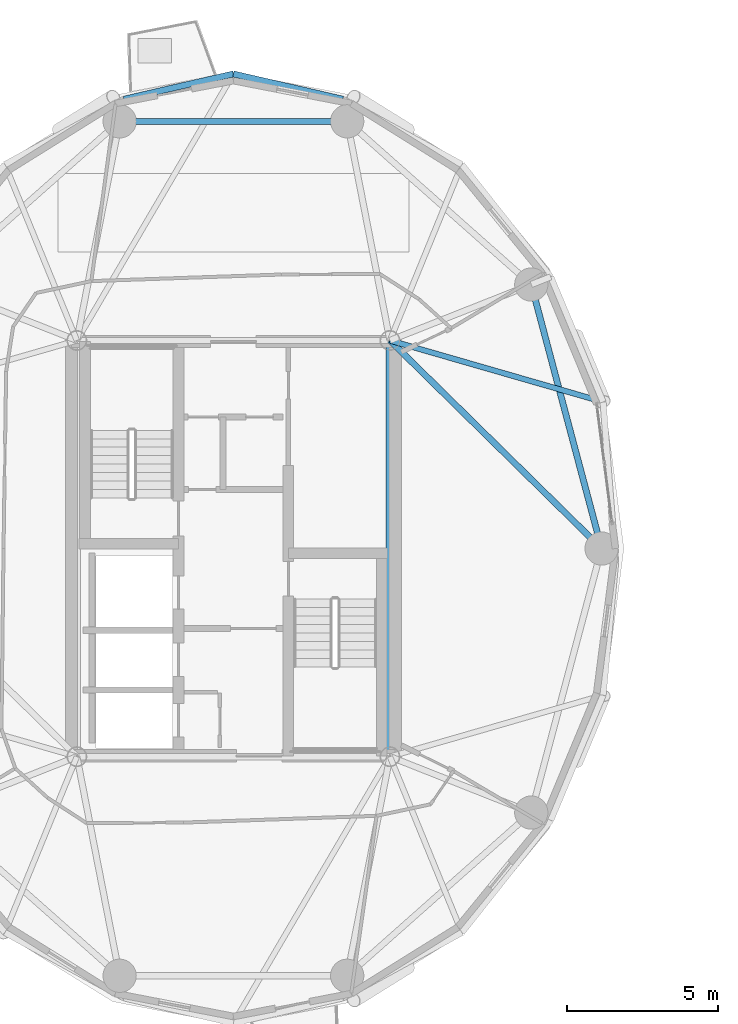
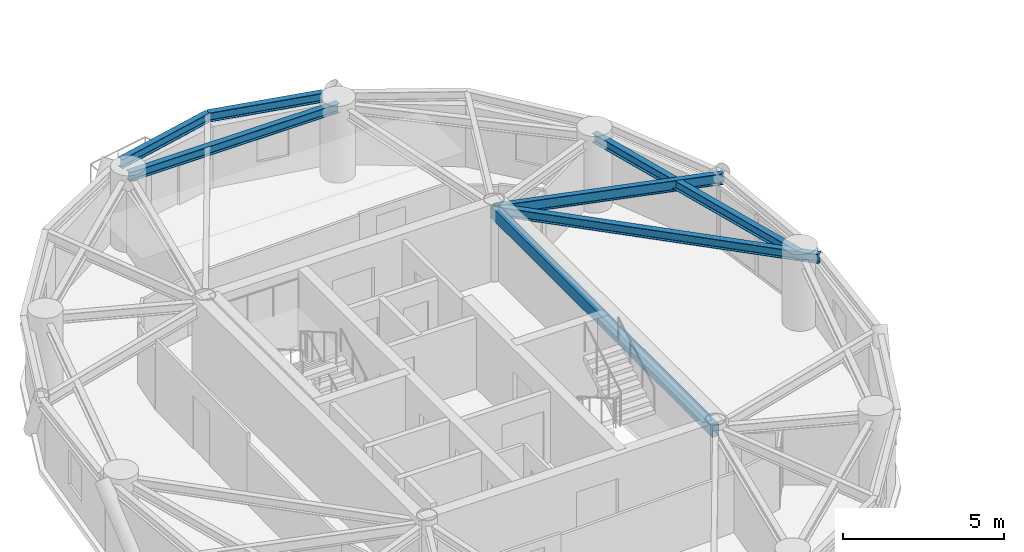
# One storey, part 2 of 15: 7 beams.
"""IFC4 building model written with IfcOpenShell, lengths in metres."""

from ifc_helpers import new_model, si_unit, direction, frame, origin, origin_2d, place, context, subcontext, project, spatial, hollow_rectangle, i_section, extrude, material, material_profile, profile_set, type_object, element, save


model = new_model("IFC4")

# Units and contexts
model_context = context("Model", 3, precision=1e-05, world=origin(), true_north=direction((0.0, 1.0)))
body_context = subcontext(model_context, "Body", "Model", "MODEL_VIEW")
ifc_project = project(units=[si_unit("LENGTHUNIT", "METRE"), si_unit("AREAUNIT", "SQUARE_METRE"), si_unit("VOLUMEUNIT", "CUBIC_METRE"), si_unit("PLANEANGLEUNIT", "RADIAN"), si_unit("MASSUNIT", "GRAM", prefix="KILO")], contexts=[model_context])

# Site, building, storey
site_placement = place(None, origin())
site = spatial("IfcSite", under=ifc_project, at=site_placement, CompositionType="ELEMENT")
building_placement = place(site_placement, origin())
building = spatial("IfcBuilding", under=site, at=building_placement, Name="Cununo Teusaquillo Station Towers", CompositionType="ELEMENT")
storey_placement = place(building_placement, frame((0.0, 0.0, 199.570068359375)))
storey = spatial("IfcBuildingStorey", under=building, at=storey_placement, Name="L63", CompositionType="ELEMENT", Elevation=199.570068359375)

# Beams
ifc_material_1 = material(Name="Steel EN 10025-2 S355J2", Category="steel")
ifc_material_profile_1 = material_profile(ifc_material_1, hollow_rectangle(XDim=0.25, YDim=0.449951171875, WallThickness=0.01611328125, at=origin_2d()), Name="RHS 450x250x16")
ifc_profile_set_1 = profile_set([ifc_material_profile_1], Name="Steel EN 10025-2 S355J2")
beam_type_1 = type_object("IfcBeamType", Name="BM-COUP-1", PredefinedType="USERDEFINED", material=ifc_profile_set_1)
beam_1_placement = place(storey_placement, frame((21.675048828125, 17.6201171875, 2.474853515625), z_axis=(0.0, 1.0, 0.0), x_axis=(-1.0, 0.0, 0.0)))
element("IfcBeam", 1, at=beam_1_placement, inside=storey, type_object=beam_type_1, Name="L63 Tower A Core Beam 2", ObjectType="COUPLING BEAM", PredefinedType="USERDEFINED", context=body_context, shape_type="SweptSolid", body=[
    extrude(hollow_rectangle(XDim=0.25, YDim=0.449951171875, WallThickness=0.01611328125, at=origin_2d()), origin(), (0.0, 0.0, 1.0), 13.759765625),
])
ifc_material_2 = material(Name="Steel ASTM A572 Grade 50", Category="steel")
ifc_material_profile_2 = material_profile(ifc_material_2, i_section(OverallWidth=0.180908203125, OverallDepth=0.4169921875, WebThickness=0.010986328125, FlangeThickness=0.018310546875, FilletRadius=0.012939453125, at=origin_2d()), Name="W16X57")
ifc_profile_set_2 = profile_set([ifc_material_profile_2], Name="Steel ASTM A572 Grade 50")
beam_type_2 = type_object("IfcBeamType", Name="BM-JOIST-1", PredefinedType="JOIST", material=ifc_profile_set_2)
beam_2_placement = place(storey_placement, frame((21.675048828125, 31.3798828125, 2.491455078125), z_axis=(0.960861603375, -0.277028841748, 0.0), x_axis=(0.277028841748, 0.960861603375, 0.0)))
element("IfcBeam", 2, at=beam_2_placement, inside=storey, type_object=beam_type_2, Name="L63 Tower A Radial Spandrel Joist V01", PredefinedType="JOIST", context=body_context, shape_type="SweptSolid", body=[
    extrude(i_section(OverallWidth=0.180908203125, OverallDepth=0.4169921875, WebThickness=0.010986328125, FlangeThickness=0.018310546875, FilletRadius=0.012939453125, at=origin_2d()), origin(), (0.0, 0.0, 1.0), 7.333251953125),
])
ifc_material_3 = material(Name="Steel ASTM A572 Grade 50", Category="steel")
ifc_material_profile_3 = material_profile(ifc_material_3, i_section(OverallWidth=0.2041015625, OverallDepth=0.35009765625, WebThickness=0.008544921875, FlangeThickness=0.01513671875, FilletRadius=0.011962890625, at=origin_2d()), Name="W14X48")
ifc_profile_set_3 = profile_set([ifc_material_profile_3], Name="Steel ASTM A572 Grade 50")
beam_type_3 = type_object("IfcBeamType", Name="BM-RAD-G3", PredefinedType="BEAM", material=ifc_profile_set_3)
beam_3_placement = place(storey_placement, frame((21.675048828125, 31.3798828125, 2.52490234375), z_axis=(0.713043510712, -0.701119784225, 0.0), x_axis=(0.701119784225, 0.713043510712, 0.0)))
element("IfcBeam", 3, at=beam_3_placement, inside=storey, type_object=beam_type_3, Name="L63 Tower A Continuous Overhanging Radial Girder 01", PredefinedType="BEAM", context=body_context, shape_type="SweptSolid", body=[
    extrude(i_section(OverallWidth=0.2041015625, OverallDepth=0.35009765625, WebThickness=0.008544921875, FlangeThickness=0.01513671875, FilletRadius=0.011962890625, at=origin_2d()), origin(), (0.0, 0.0, 1.0), 10.462890625),
])
ifc_material_4 = material(Name="Steel ASTM A572 Grade 50", Category="steel")
ifc_material_profile_4 = material_profile(ifc_material_4, i_section(OverallWidth=0.2041015625, OverallDepth=0.35009765625, WebThickness=0.008544921875, FlangeThickness=0.01513671875, FilletRadius=0.011962890625, at=origin_2d()), Name="W14X48")
ifc_profile_set_4 = profile_set([ifc_material_profile_4], Name="Steel ASTM A572 Grade 50")
beam_type_4 = type_object("IfcBeamType", Name="BM-RING-Z4", PredefinedType="SPANDREL", material=ifc_profile_set_4)
beam_4_placement = place(storey_placement, frame((28.672119140625, 24.5, 2.52490234375), z_axis=(-0.257363196347, 0.966314744359, 0.0), x_axis=(-0.966314744359, -0.257363196347, 0.0)))
element("IfcBeam", 4, at=beam_4_placement, inside=storey, type_object=beam_type_4, Name="L63 Tower A Structural Column Ring Girder 01", PredefinedType="SPANDREL", context=body_context, shape_type="SweptSolid", body=[
    extrude(i_section(OverallWidth=0.2041015625, OverallDepth=0.35009765625, WebThickness=0.008544921875, FlangeThickness=0.01513671875, FilletRadius=0.011962890625, at=origin_2d()), origin(), (0.0, 0.0, 1.0), 9.03271484375),
])
beam_5_placement = place(storey_placement, frame((20.261474609375, 38.623291015625, 2.52490234375), z_axis=(-1.0, 0.0, 0.0), x_axis=(0.0, -1.0, 0.0)))
element("IfcBeam", 5, at=beam_5_placement, inside=storey, type_object=beam_type_4, Name="L63 Tower A Structural Column Ring Girder 03", PredefinedType="SPANDREL", context=body_context, shape_type="SweptSolid", body=[
    extrude(i_section(OverallWidth=0.2041015625, OverallDepth=0.35009765625, WebThickness=0.008544921875, FlangeThickness=0.01513671875, FilletRadius=0.011962890625, at=origin_2d()), origin(), (0.0, 0.0, 1.0), 7.52294921875),
])
for number, where, z_axis, x_axis, name in (
    (6, (20.118896484375, 39.353515625, 2.52490234375), (-0.97431470066, 0.225190728224, 0.0), (-0.225190728224, -0.97431470066, 0.0), "L63 Tower A Spandrel Ring Beam 05"),
    (7, (16.5, 40.18994140625, 2.52490234375), (-0.97431470066, -0.225190728224, 0.0), (0.225190728224, -0.97431470066, 0.0), "L63 Tower A Spandrel Ring Beam 06"),
):
    element("IfcBeam", number, at=place(storey_placement, frame(where, z_axis=z_axis, x_axis=x_axis)), inside=storey, type_object=beam_type_4, Name=name, PredefinedType="SPANDREL", context=body_context, shape_type="SweptSolid", body=[
        extrude(i_section(OverallWidth=0.2041015625, OverallDepth=0.35009765625, WebThickness=0.008544921875, FlangeThickness=0.01513671875, FilletRadius=0.011962890625, at=origin_2d()), origin(), (0.0, 0.0, 1.0), 3.71435546875),
    ])

save(model, "model.ifc")
